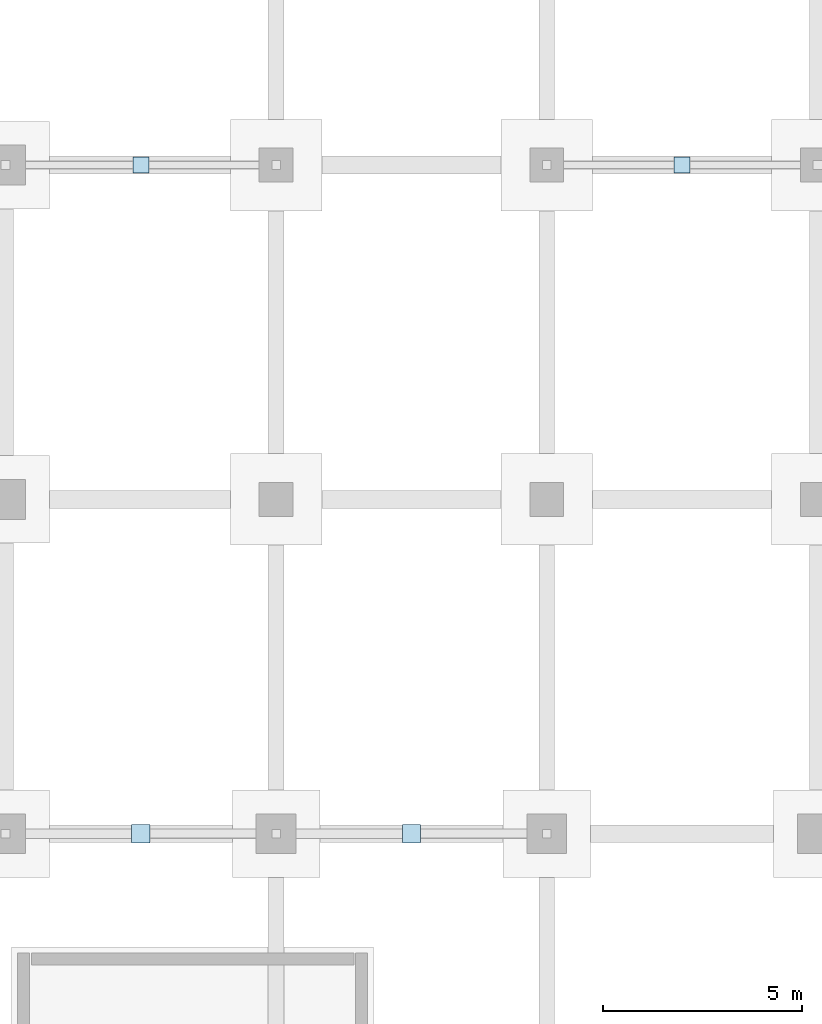
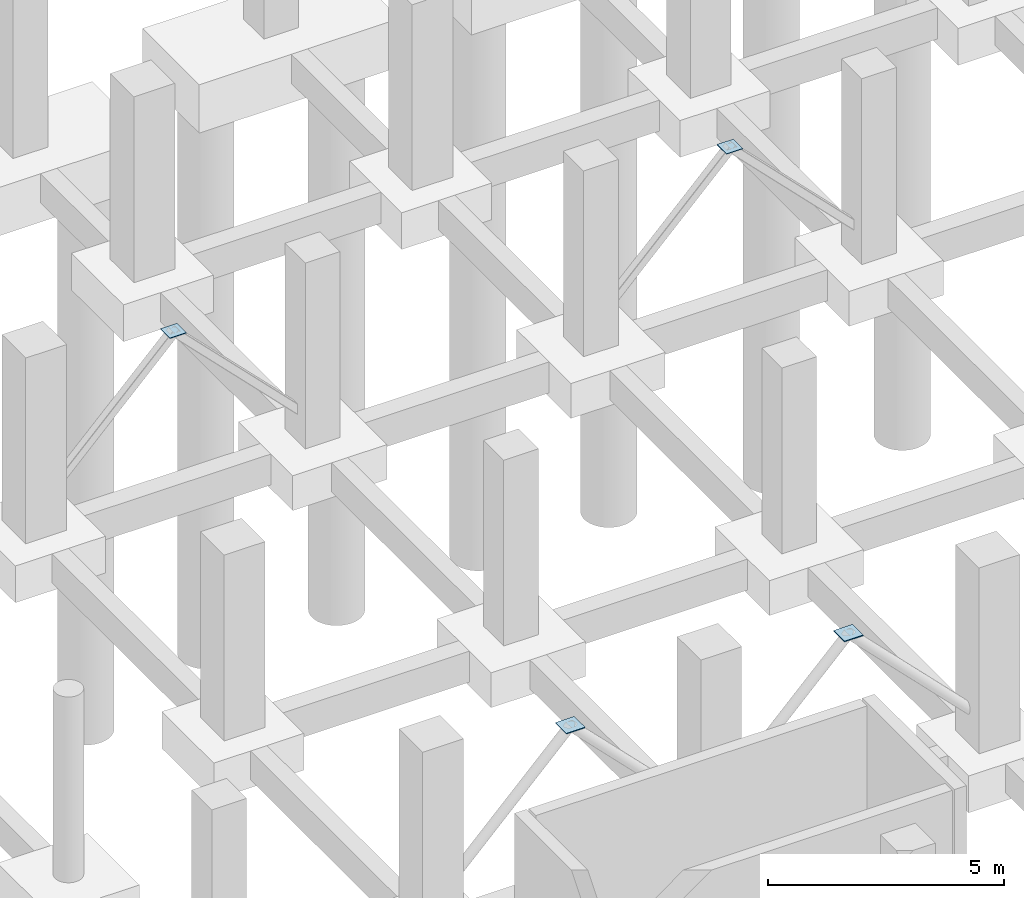
# One storey, part 33 of 44: 4 plates.
"""IFC4 building model written with IfcOpenShell, lengths in metres."""

from ifc_helpers import new_model, si_unit, direction, frame, origin, origin_2d, place, context, subcontext, project, spatial, rectangle, extrude, material, layer, layer_set, type_object, element, save


model = new_model("IFC4")

# Units and contexts
model_context = context("Model", 3, precision=1e-05, world=origin(), true_north=direction((0.0, 1.0)))
body_context = subcontext(model_context, "Body", "Model", "MODEL_VIEW")
ifc_project = project(units=[si_unit("LENGTHUNIT", "METRE"), si_unit("AREAUNIT", "SQUARE_METRE"), si_unit("VOLUMEUNIT", "CUBIC_METRE"), si_unit("PLANEANGLEUNIT", "RADIAN"), si_unit("MASSUNIT", "GRAM", prefix="KILO")], contexts=[model_context])

# Site, building, storey
site_placement = place(None, origin())
site = spatial("IfcSite", under=ifc_project, at=site_placement, CompositionType="ELEMENT")
building_placement = place(site_placement, origin())
building = spatial("IfcBuilding", under=site, at=building_placement, Name="Kisaragi Civic Commons", CompositionType="ELEMENT")
storey_placement = place(building_placement, frame((0.0, 0.0, -4.800048828125)))
storey = spatial("IfcBuildingStorey", under=building, at=storey_placement, Name="B1", CompositionType="ELEMENT", Elevation=-4.800048828125)

# Plates
ifc_material = material(Name="Steel SN490 (SN490B)", Category="steel")
ifc_layer_1 = layer(ifc_material, 0.02197265625, Name="Steel SN490 (SN490B)", Category="steel")
ifc_layer_set_1 = layer_set([ifc_layer_1], Name="Steel SN490 (SN490B)")
plate_type_1 = type_object("IfcPlateType", Name="GP-01", PredefinedType="SHEET", material=ifc_layer_set_1)
for number, where, z_axis, x_axis, name in (
    (1, (10.199951171875, 87.60009765625, 3.819091796875), (0.0, 0.0, 1.0), (1.0, 0.0, 0.0), "B1 brace apex gusset plate GP-01 5"),
    (2, (17.0, 87.60009765625, 3.819091796875), (0.0, 0.0, 1.0), (1.0, 0.0, 0.0), "B1 brace apex gusset plate GP-01 6"),
):
    element("IfcPlate", number, at=place(storey_placement, frame(where, z_axis=z_axis, x_axis=x_axis)), inside=storey, type_object=plate_type_1, Name=name, PredefinedType="SHEET", context=body_context, shape_type="SweptSolid", body=[
        extrude(rectangle(XDim=0.4599609375, YDim=0.4599609375, at=origin_2d()), origin(), (0.0, 0.0, 1.0), 0.02197265625),
    ])
ifc_layer_2 = layer(ifc_material, 0.01611328125, Name="Steel SN490 (SN490B)", Category="steel")
ifc_layer_set_2 = layer_set([ifc_layer_2], Name="Steel SN490 (SN490B)")
plate_type_2 = type_object("IfcPlateType", Name="GP-06", PredefinedType="SHEET", material=ifc_layer_set_2)
for number, where, z_axis, x_axis, name in (
    (3, (10.199951171875, 104.39990234375, 3.822021484375), (0.0, 0.0, 1.0), (1.0, 0.0, 0.0), "B1 brace apex gusset plate GP-06 7"),
    (4, (23.800048828125, 104.39990234375, 3.822021484375), (0.0, 0.0, 1.0), (1.0, 0.0, 0.0), "B1 brace apex gusset plate GP-06 8"),
):
    element("IfcPlate", number, at=place(storey_placement, frame(where, z_axis=z_axis, x_axis=x_axis)), inside=storey, type_object=plate_type_2, Name=name, PredefinedType="SHEET", context=body_context, shape_type="SweptSolid", body=[
        extrude(rectangle(XDim=0.39990234375, YDim=0.39990234375, at=origin_2d()), origin(), (0.0, 0.0, 1.0), 0.01611328125),
    ])

save(model, "model.ifc")
